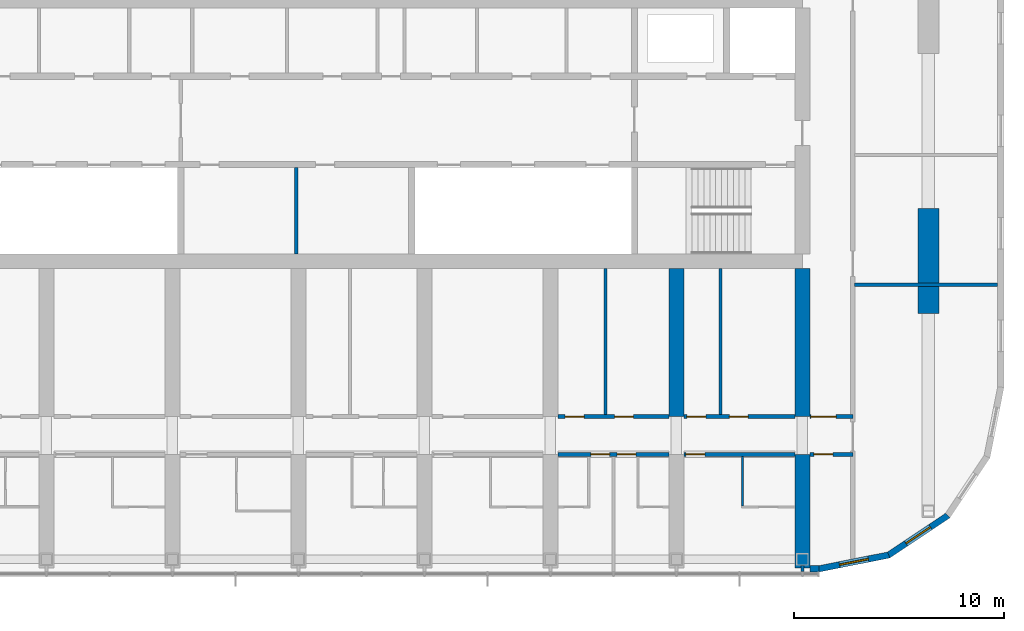
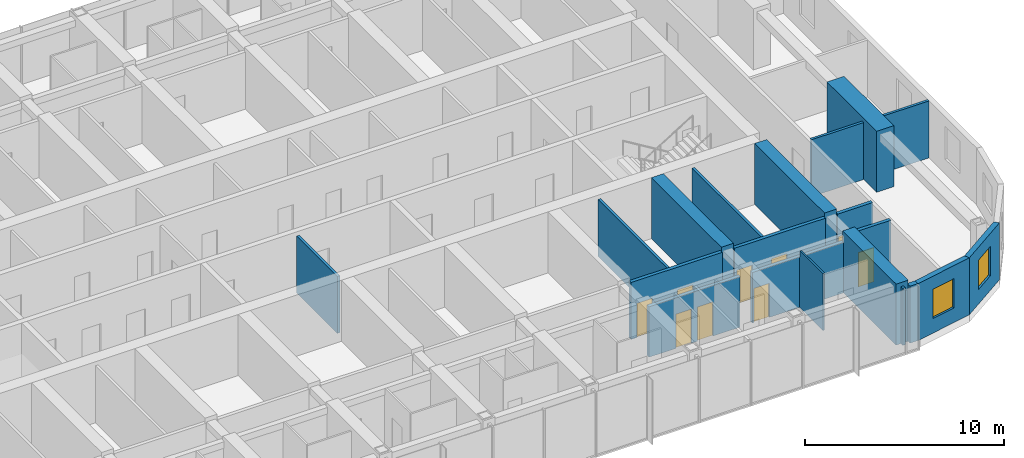
# One storey, part 16 of 28: 19 walls, 9 doors, 2 windows, 11 openings.
"""IFC4 building model written with IfcOpenShell, lengths in metres."""

from ifc_helpers import new_model, si_unit, direction, frame, frame_2d, origin, place, context, subcontext, project, spatial, polyline, rectangle, outline, extrude, material, layer, layer_set, type_object, element, fill, save


model = new_model("IFC4")

# Units and contexts
model_context = context("Model", 3, precision=1e-05, world=origin(), true_north=direction((0.0, 1.0)))
body_context = subcontext(model_context, "Body", "Model", "MODEL_VIEW")
ifc_project = project(units=[si_unit("LENGTHUNIT", "METRE"), si_unit("AREAUNIT", "SQUARE_METRE"), si_unit("VOLUMEUNIT", "CUBIC_METRE"), si_unit("PLANEANGLEUNIT", "RADIAN"), si_unit("MASSUNIT", "GRAM", prefix="KILO")], contexts=[model_context])

# Site, building, storey
site_placement = place(None, origin())
site = spatial("IfcSite", under=ifc_project, at=site_placement, CompositionType="ELEMENT")
building_placement = place(site_placement, origin())
building = spatial("IfcBuilding", under=site, at=building_placement, Name="Orbita Commons", CompositionType="ELEMENT")
storey_placement = place(building_placement, frame((0.0, 0.0, 216.550048828125)))
storey = spatial("IfcBuildingStorey", under=building, at=storey_placement, Name="L53", CompositionType="ELEMENT", Elevation=216.550048828125)

# Wall
ifc_material_1 = material(Name="Concrete blockwork", Category="masonry")
ifc_layer_1 = layer(ifc_material_1, 0.14990234375)
ifc_layer_set_1 = layer_set([ifc_layer_1], Name="Concrete blockwork")
wall_type_1 = type_object("IfcWallType", Name="Core partition 150 blockwork", PredefinedType="SOLIDWALL", material=ifc_layer_set_1)
wall_1_placement = place(storey_placement, frame((41.89990234375, 26.14990234375, 0.0), z_axis=(0.0, 0.0, 1.0), x_axis=(0.0, 1.0, 0.0)))
element("IfcWall", 1, at=wall_1_placement, inside=storey, type_object=wall_type_1, Name="Core partition 150 blockwork L53", PredefinedType="SOLIDWALL", context=body_context, shape_type="SweptSolid", body=[
    extrude(rectangle(XDim=4.10009765625, YDim=0.14990234375, at=frame_2d((2.050048828125, 0.0))), origin(), (0.0, 0.0, 1.0), 3.5),
])

# Wall, openings, doors
ifc_material_2 = material(Name="Concrete blockwork", Category="masonry")
ifc_layer_2 = layer(ifc_material_2, 0.199951171875)
ifc_layer_set_2 = layer_set([ifc_layer_2], Name="Concrete blockwork")
wall_type_2 = type_object("IfcWallType", Name="Corridor wall 200 blockwork", PredefinedType="SOLIDWALL", material=ifc_layer_set_2)
wall_2_placement = place(storey_placement, frame((54.35009765625, 16.60009765625, 0.0), z_axis=(0.0, 0.0, 1.0), x_axis=(1.0, 0.0, 0.0)))
wall_2 = element("IfcWall", 2, at=wall_2_placement, inside=storey, type_object=wall_type_2, Name="Corridor wall 200 blockwork L53", PredefinedType="SOLIDWALL", context=body_context, shape_type="SweptSolid", body=[
    extrude(outline(polyline([(0.0, 0.0), (5.2998046875, 0.0), (5.300048828125, 3.099853515625), (0.0, 3.099853515625), (0.0, 0.0)])), frame((0.0, 0.10009765625, 0.0), z_axis=(0.0, -1.0, 0.0), x_axis=(1.0, 0.0, 0.0)), (0.0, 0.0, 1.0), 0.199951171875),
])
opening_1_placement = place(wall_2_placement, frame((1.574951171875, 0.0, 0.0)))
opening_1 = element("IfcOpeningElement", 3, at=opening_1_placement, cuts=wall_2, Name="Opening D11", PredefinedType="OPENING", context=body_context, shape_type="SweptSolid", body=[
    extrude(rectangle(XDim=0.89990234375, YDim=2.10009765625, at=frame_2d((0.449951171875, 1.050048828125))), frame((0.0, 0.10986328125, 0.0), z_axis=(0.0, -1.0, 0.0), x_axis=(1.0, 0.0, 0.0)), (0.0, 0.0, 1.0), 0.219970703125),
])
opening_2_placement = place(wall_2_placement, frame((2.824951171875, 0.0, 0.0)))
opening_2 = element("IfcOpeningElement", 4, at=opening_2_placement, cuts=wall_2, Name="Opening D11", PredefinedType="OPENING", context=body_context, shape_type="SweptSolid", body=[
    extrude(rectangle(XDim=0.89990234375, YDim=2.10009765625, at=frame_2d((0.449951171875, 1.050048828125))), frame((0.0, 0.10986328125, 0.0), z_axis=(0.0, -1.0, 0.0), x_axis=(1.0, 0.0, 0.0)), (0.0, 0.0, 1.0), 0.219970703125),
])
ifc_material_3 = material(Name="Steel-faced fire door leaf", Category="steel")
door_type_1 = type_object("IfcDoorType", Name="Corridor door 20 min 900x2100", OperationType="SINGLE_SWING_LEFT", PredefinedType="DOOR", material=ifc_material_3)
door_1_placement = place(opening_1_placement, origin())
door_1 = element("IfcDoor", 5, at=door_1_placement, inside=storey, type_object=door_type_1, Name="Cluster bedroom L53-S12 door", OperationType="SINGLE_SWING_LEFT", OverallHeight=2.10009765625, OverallWidth=0.89990234375, PredefinedType="DOOR", context=body_context, shape_type="SweptSolid", body=[
    extrude(rectangle(XDim=0.89990234375, YDim=2.10009765625, at=frame_2d((0.449951171875, 1.050048828125))), frame((0.0, 0.02490234375, 0.0), z_axis=(0.0, -1.0, 0.0), x_axis=(1.0, 0.0, 0.0)), (0.0, 0.0, 1.0), 0.050048828125),
])
fill(opening_1, door_1)
door_2_placement = place(opening_2_placement, origin())
door_2 = element("IfcDoor", 6, at=door_2_placement, inside=storey, type_object=door_type_1, Name="Cluster bedroom L53-S13 door", OperationType="SINGLE_SWING_LEFT", OverallHeight=2.10009765625, OverallWidth=0.89990234375, PredefinedType="DOOR", context=body_context, shape_type="SweptSolid", body=[
    extrude(rectangle(XDim=0.89990234375, YDim=2.10009765625, at=frame_2d((0.449951171875, 1.050048828125))), frame((0.0, 0.02490234375, 0.0), z_axis=(0.0, -1.0, 0.0), x_axis=(1.0, 0.0, 0.0)), (0.0, 0.0, 1.0), 0.050048828125),
])
fill(opening_2, door_2)

# Wall, opening, door
wall_3_placement = place(storey_placement, frame((60.35009765625, 16.60009765625, 0.0), z_axis=(0.0, 0.0, 1.0), x_axis=(1.0, 0.0, 0.0)))
wall_3 = element("IfcWall", 7, at=wall_3_placement, inside=storey, type_object=wall_type_2, Name="Corridor wall 200 blockwork L53", PredefinedType="SOLIDWALL", context=body_context, shape_type="SweptSolid", body=[
    extrude(outline(polyline([(0.0, 0.0), (5.2998046875, 0.0), (5.300048828125, 3.099853515625), (0.0, 3.099853515625), (0.0, 0.0)])), frame((0.0, 0.10009765625, 0.0), z_axis=(0.0, -1.0, 0.0), x_axis=(1.0, 0.0, 0.0)), (0.0, 0.0, 1.0), 0.199951171875),
])
opening_3_placement = place(wall_3_placement, frame((0.10009765625, 0.0, 0.0)))
opening_3 = element("IfcOpeningElement", 8, at=opening_3_placement, cuts=wall_3, Name="Opening D11", PredefinedType="OPENING", context=body_context, shape_type="SweptSolid", body=[
    extrude(rectangle(XDim=0.89990234375, YDim=2.10009765625, at=frame_2d((0.449951171875, 1.050048828125))), frame((0.0, 0.10986328125, 0.0), z_axis=(0.0, -1.0, 0.0), x_axis=(1.0, 0.0, 0.0)), (0.0, 0.0, 1.0), 0.219970703125),
])
door_3_placement = place(opening_3_placement, origin())
door_3 = element("IfcDoor", 9, at=door_3_placement, inside=storey, type_object=door_type_1, Name="Studio apartment with kitchenette L53-S14 door", OperationType="SINGLE_SWING_LEFT", OverallHeight=2.10009765625, OverallWidth=0.89990234375, PredefinedType="DOOR", context=body_context, shape_type="SweptSolid", body=[
    extrude(rectangle(XDim=0.89990234375, YDim=2.10009765625, at=frame_2d((0.449951171875, 1.050048828125))), frame((0.0, 0.02490234375, 0.0), z_axis=(0.0, -1.0, 0.0), x_axis=(1.0, 0.0, 0.0)), (0.0, 0.0, 1.0), 0.050048828125),
])
fill(opening_3, door_3)

wall_4_placement = place(storey_placement, frame((66.35009765625, 16.60009765625, 0.0), z_axis=(0.0, 0.0, 1.0), x_axis=(1.0, 0.0, 0.0)))
wall_4 = element("IfcWall", 10, at=wall_4_placement, inside=storey, type_object=wall_type_2, Name="Corridor wall 200 blockwork L53", PredefinedType="SOLIDWALL", context=body_context, shape_type="SweptSolid", body=[
    extrude(rectangle(XDim=2.0498046875, YDim=0.199951171875, at=frame_2d((1.02490234375, 0.0))), origin(), (0.0, 0.0, 1.0), 3.5),
])
opening_4_placement = place(wall_4_placement, frame((0.199951171875, 0.0, 0.0)))
opening_4 = element("IfcOpeningElement", 11, at=opening_4_placement, cuts=wall_4, Name="Opening D05", PredefinedType="OPENING", context=body_context, shape_type="SweptSolid", body=[
    extrude(rectangle(XDim=0.89990234375, YDim=2.10009765625, at=frame_2d((0.449951171875, 1.050048828125))), frame((0.0, 0.10986328125, 0.0), z_axis=(0.0, -1.0, 0.0), x_axis=(1.0, 0.0, 0.0)), (0.0, 0.0, 1.0), 0.219970703125),
])
ifc_material_4 = material(Name="Steel-faced fire door leaf", Category="steel")
door_type_2 = type_object("IfcDoorType", Name="Service door 20 min 900x2100", OperationType="SINGLE_SWING_LEFT", PredefinedType="DOOR", material=ifc_material_4)
door_4_placement = place(opening_4_placement, origin())
door_4 = element("IfcDoor", 12, at=door_4_placement, inside=storey, type_object=door_type_2, Name="Linen store L53-KES door", OperationType="SINGLE_SWING_LEFT", OverallHeight=2.10009765625, OverallWidth=0.89990234375, PredefinedType="DOOR", context=body_context, shape_type="SweptSolid", body=[
    extrude(rectangle(XDim=0.89990234375, YDim=2.10009765625, at=frame_2d((0.449951171875, 1.050048828125))), frame((0.0, 0.02490234375, 0.0), z_axis=(0.0, -1.0, 0.0), x_axis=(1.0, 0.0, 0.0)), (0.0, 0.0, 1.0), 0.050048828125),
])
fill(opening_4, door_4)

# Wall, openings, doors
ifc_material_5 = material(Name="Hollow concrete block 200", Category="concrete")
ifc_layer_3 = layer(ifc_material_5, 0.199951171875)
ifc_layer_set_3 = layer_set([ifc_layer_3], Name="Hollow concrete block 200")
wall_type_3 = type_object("IfcWallType", Name="Corridor wall 200 hollow concrete block", PredefinedType="SOLIDWALL", material=ifc_layer_set_3)
wall_5_placement = place(storey_placement, frame((54.35009765625, 18.39990234375, 0.0), z_axis=(0.0, 0.0, 1.0), x_axis=(1.0, 0.0, 0.0)))
wall_5 = element("IfcWall", 13, at=wall_5_placement, inside=storey, type_object=wall_type_3, Name="Corridor wall 200 hollow concrete block L53", PredefinedType="SOLIDWALL", context=body_context, shape_type="SweptSolid", body=[
    extrude(rectangle(XDim=5.2998046875, YDim=0.199951171875, at=frame_2d((2.64990234375, 0.0))), origin(), (0.0, 0.0, 1.0), 3.5),
])
opening_5_placement = place(wall_5_placement, frame((0.35009765625, 0.0, 0.0)))
opening_5 = element("IfcOpeningElement", 14, at=opening_5_placement, cuts=wall_5, Name="Opening D11", PredefinedType="OPENING", context=body_context, shape_type="SweptSolid", body=[
    extrude(rectangle(XDim=0.89990234375, YDim=2.10009765625, at=frame_2d((0.449951171875, 1.050048828125))), frame((0.0, 0.10986328125, 0.0), z_axis=(0.0, -1.0, 0.0), x_axis=(1.0, 0.0, 0.0)), (0.0, 0.0, 1.0), 0.219970703125),
])
opening_6_placement = place(wall_5_placement, frame((2.705078125, 0.0, 0.0)))
opening_6 = element("IfcOpeningElement", 15, at=opening_6_placement, cuts=wall_5, Name="Opening D11", PredefinedType="OPENING", context=body_context, shape_type="SweptSolid", body=[
    extrude(rectangle(XDim=0.89990234375, YDim=2.10009765625, at=frame_2d((0.449951171875, 1.050048828125))), frame((0.0, 0.10986328125, 0.0), z_axis=(0.0, -1.0, 0.0), x_axis=(1.0, 0.0, 0.0)), (0.0, 0.0, 1.0), 0.219970703125),
])
door_5_placement = place(opening_5_placement, origin())
door_5 = element("IfcDoor", 16, at=door_5_placement, inside=storey, type_object=door_type_1, Name="Battery and UPS room L53-BDS54n door", OperationType="SINGLE_SWING_LEFT", OverallHeight=2.10009765625, OverallWidth=0.89990234375, PredefinedType="DOOR", context=body_context, shape_type="SweptSolid", body=[
    extrude(rectangle(XDim=0.89990234375, YDim=2.10009765625, at=frame_2d((0.449951171875, 1.050048828125))), frame((0.0, 0.02490234375, 0.0), z_axis=(0.0, -1.0, 0.0), x_axis=(1.0, 0.0, 0.0)), (0.0, 0.0, 1.0), 0.050048828125),
])
fill(opening_5, door_5)
door_6_placement = place(opening_6_placement, origin())
door_6 = element("IfcDoor", 17, at=door_6_placement, inside=storey, type_object=door_type_1, Name="Refuse and recycling room L53-BDS54 door", OperationType="SINGLE_SWING_LEFT", OverallHeight=2.10009765625, OverallWidth=0.89990234375, PredefinedType="DOOR", context=body_context, shape_type="SweptSolid", body=[
    extrude(rectangle(XDim=0.89990234375, YDim=2.10009765625, at=frame_2d((0.449951171875, 1.050048828125))), frame((0.0, 0.02490234375, 0.0), z_axis=(0.0, -1.0, 0.0), x_axis=(1.0, 0.0, 0.0)), (0.0, 0.0, 1.0), 0.050048828125),
])
fill(opening_6, door_6)

wall_6_placement = place(storey_placement, frame((60.35009765625, 18.39990234375, 0.0), z_axis=(0.0, 0.0, 1.0), x_axis=(1.0, 0.0, 0.0)))
wall_6 = element("IfcWall", 18, at=wall_6_placement, inside=storey, type_object=wall_type_3, Name="Corridor wall 200 hollow concrete block L53", PredefinedType="SOLIDWALL", context=body_context, shape_type="SweptSolid", body=[
    extrude(rectangle(XDim=5.2998046875, YDim=0.199951171875, at=frame_2d((2.64990234375, 0.0))), origin(), (0.0, 0.0, 1.0), 3.5),
])
opening_7_placement = place(wall_6_placement, frame((0.14990234375, 0.0, 0.0)))
opening_7 = element("IfcOpeningElement", 19, at=opening_7_placement, cuts=wall_6, Name="Opening D11", PredefinedType="OPENING", context=body_context, shape_type="SweptSolid", body=[
    extrude(rectangle(XDim=0.89990234375, YDim=2.10009765625, at=frame_2d((0.449951171875, 1.050048828125))), frame((0.0, 0.10986328125, 0.0), z_axis=(0.0, -1.0, 0.0), x_axis=(1.0, 0.0, 0.0)), (0.0, 0.0, 1.0), 0.219970703125),
])
opening_8_placement = place(wall_6_placement, frame((2.169921875, 0.0, 0.0)))
opening_8 = element("IfcOpeningElement", 20, at=opening_8_placement, cuts=wall_6, Name="Opening D11", PredefinedType="OPENING", context=body_context, shape_type="SweptSolid", body=[
    extrude(rectangle(XDim=0.89990234375, YDim=2.10009765625, at=frame_2d((0.449951171875, 1.050048828125))), frame((0.0, 0.10986328125, 0.0), z_axis=(0.0, -1.0, 0.0), x_axis=(1.0, 0.0, 0.0)), (0.0, 0.0, 1.0), 0.219970703125),
])
door_7_placement = place(opening_7_placement, origin())
door_7 = element("IfcDoor", 21, at=door_7_placement, inside=storey, type_object=door_type_1, Name="Sprinkler valve room L53-BDS60n door", OperationType="SINGLE_SWING_LEFT", OverallHeight=2.10009765625, OverallWidth=0.89990234375, PredefinedType="DOOR", context=body_context, shape_type="SweptSolid", body=[
    extrude(rectangle(XDim=0.89990234375, YDim=2.10009765625, at=frame_2d((0.449951171875, 1.050048828125))), frame((0.0, 0.02490234375, 0.0), z_axis=(0.0, -1.0, 0.0), x_axis=(1.0, 0.0, 0.0)), (0.0, 0.0, 1.0), 0.050048828125),
])
fill(opening_7, door_7)
door_8_placement = place(opening_8_placement, origin())
door_8 = element("IfcDoor", 22, at=door_8_placement, inside=storey, type_object=door_type_1, Name="Cleaners store L53-BDS60 door", OperationType="SINGLE_SWING_LEFT", OverallHeight=2.10009765625, OverallWidth=0.89990234375, PredefinedType="DOOR", context=body_context, shape_type="SweptSolid", body=[
    extrude(rectangle(XDim=0.89990234375, YDim=2.10009765625, at=frame_2d((0.449951171875, 1.050048828125))), frame((0.0, 0.02490234375, 0.0), z_axis=(0.0, -1.0, 0.0), x_axis=(1.0, 0.0, 0.0)), (0.0, 0.0, 1.0), 0.050048828125),
])
fill(opening_8, door_8)

# Wall, opening, door
wall_7_placement = place(storey_placement, frame((66.35009765625, 18.39990234375, 0.0), z_axis=(0.0, 0.0, 1.0), x_axis=(1.0, 0.0, 0.0)))
wall_7 = element("IfcWall", 23, at=wall_7_placement, inside=storey, type_object=wall_type_3, Name="Corridor wall 200 hollow concrete block L53", PredefinedType="SOLIDWALL", context=body_context, shape_type="SweptSolid", body=[
    extrude(rectangle(XDim=2.0498046875, YDim=0.199951171875, at=frame_2d((1.02490234375, 0.0))), origin(), (0.0, 0.0, 1.0), 3.5),
])
opening_9_placement = place(wall_7_placement, frame((0.050048828125, 0.0, 0.0)))
opening_9 = element("IfcOpeningElement", 24, at=opening_9_placement, cuts=wall_7, Name="Opening D12", PredefinedType="OPENING", context=body_context, shape_type="SweptSolid", body=[
    extrude(rectangle(XDim=1.199951171875, YDim=2.10009765625, at=frame_2d((0.60009765625, 1.050048828125))), frame((0.0, 0.10986328125, 0.0), z_axis=(0.0, -1.0, 0.0), x_axis=(1.0, 0.0, 0.0)), (0.0, 0.0, 1.0), 0.219970703125),
])
ifc_material_6 = material(Name="Steel-faced fire door leaf", Category="steel")
door_type_3 = type_object("IfcDoorType", Name="Double corridor door 20 min 1200x2100", OperationType="DOUBLE_DOOR_SINGLE_SWING", PredefinedType="DOOR", material=ifc_material_6)
door_9_placement = place(opening_9_placement, origin())
door_9 = element("IfcDoor", 25, at=door_9_placement, inside=storey, type_object=door_type_3, Name="Cross corridor doors", OperationType="DOUBLE_DOOR_SINGLE_SWING", OverallHeight=2.10009765625, OverallWidth=1.199951171875, PredefinedType="DOOR", context=body_context, shape_type="SweptSolid", body=[
    extrude(rectangle(XDim=1.199951171875, YDim=2.10009765625, at=frame_2d((0.60009765625, 1.050048828125))), frame((0.0, 0.02490234375, 0.0), z_axis=(0.0, -1.0, 0.0), x_axis=(1.0, 0.0, 0.0)), (0.0, 0.0, 1.0), 0.050048828125),
])
fill(opening_9, door_9)

# Walls
ifc_material_7 = material(Name="Concrete C50/60", Category="concrete")
ifc_layer_4 = layer(ifc_material_7, 0.699951171875)
ifc_layer_set_4 = layer_set([ifc_layer_4], Name="Concrete C50/60")
wall_type_4 = type_object("IfcWallType", Name="Cross wall 700 C50/60", PredefinedType="SHEAR", material=ifc_layer_set_4)
wall_8_placement = place(storey_placement, frame((60.0, 18.39990234375, 0.0), z_axis=(0.0, 0.0, 1.0), x_axis=(0.0, 1.0, 0.0)))
element("IfcWall", 26, at=wall_8_placement, inside=storey, type_object=wall_type_4, Name="Cross wall 11 south inner L53", PredefinedType="SHEAR", context=body_context, shape_type="SweptSolid", body=[
    extrude(rectangle(XDim=7.050048828125, YDim=0.699951171875, at=frame_2d((3.52490234375, 0.0))), origin(), (0.0, 0.0, 1.0), 3.75),
])
wall_9_placement = place(storey_placement, frame((66.0, 11.199951171875, 0.0), z_axis=(0.0, 0.0, 1.0), x_axis=(0.0, 1.0, 0.0)))
element("IfcWall", 27, at=wall_9_placement, inside=storey, type_object=wall_type_4, Name="Cross wall 12 south outer L53", PredefinedType="SHEAR", context=body_context, shape_type="SweptSolid", body=[
    extrude(rectangle(XDim=5.400146484375, YDim=0.699951171875, at=frame_2d((2.7001953125, 0.0))), origin(), (0.0, 0.0, 1.0), 3.75),
])
wall_10_placement = place(storey_placement, frame((66.0, 18.39990234375, 0.0), z_axis=(0.0, 0.0, 1.0), x_axis=(0.0, 1.0, 0.0)))
element("IfcWall", 28, at=wall_10_placement, inside=storey, type_object=wall_type_4, Name="Cross wall 12 south inner L53", PredefinedType="SHEAR", context=body_context, shape_type="SweptSolid", body=[
    extrude(rectangle(XDim=7.050048828125, YDim=0.699951171875, at=frame_2d((3.52490234375, 0.0))), origin(), (0.0, 0.0, 1.0), 3.75),
])
ifc_material_8 = material(Name="Moisture-resistant plasterboard on steel studs", Category="steel")
ifc_layer_5 = layer(ifc_material_8, 0.10009765625)
ifc_layer_set_5 = layer_set([ifc_layer_5], Name="Moisture-resistant plasterboard on steel studs")
wall_type_5 = type_object("IfcWallType", Name="En-suite partition 100", PredefinedType="PARTITIONING", material=ifc_layer_set_5)
wall_11_placement = place(storey_placement, frame((63.14990234375, 14.14990234375, 0.0), z_axis=(0.0, 0.0, 1.0), x_axis=(0.0, 1.0, 0.0)))
element("IfcWall", 29, at=wall_11_placement, inside=storey, type_object=wall_type_5, Name="En-suite partition 100 L53", PredefinedType="PARTITIONING", context=body_context, shape_type="SweptSolid", body=[
    extrude(outline(polyline([(0.0, 0.0), (2.35009765625, 0.0), (2.35009765625, 3.099853515625), (2.302001953125, 3.099853515625), (2.300048828125, 3.5), (0.0, 3.5), (0.0, 0.0)])), frame((0.0, 0.050048828125, 0.0), z_axis=(0.0, -1.0, 0.0), x_axis=(1.0, 0.0, 0.0)), (0.0, 0.0, 1.0), 0.10009765625),
])
ifc_material_9 = material(Name="Concrete C50/60", Category="concrete")
ifc_layer_6 = layer(ifc_material_9, 1.0)
ifc_layer_set_6 = layer_set([ifc_layer_6], Name="Concrete C50/60")
wall_type_6 = type_object("IfcWallType", Name="End pier 1000x5000 C50/60", PredefinedType="SHEAR", material=ifc_layer_set_6)
wall_12_placement = place(storey_placement, frame((72.0, 23.300048828125, 0.0), z_axis=(0.0, 0.0, 1.0), x_axis=(0.0, 1.0, 0.0)))
element("IfcWall", 30, at=wall_12_placement, inside=storey, type_object=wall_type_6, Name="End pier 13/C L53", PredefinedType="SHEAR", context=body_context, shape_type="SweptSolid", body=[
    extrude(rectangle(XDim=5.0, YDim=1.0, at=frame_2d((2.5, 0.0))), origin(), (0.0, 0.0, 1.0), 3.75),
])
ifc_material_10 = material(Name="Gypsum plasterboard on steel studs", Category="steel")
ifc_layer_7 = layer(ifc_material_10, 0.14990234375)
ifc_layer_set_7 = layer_set([ifc_layer_7], Name="Gypsum plasterboard on steel studs")
wall_type_7 = type_object("IfcWallType", Name="Partition 150 plasterboard", PredefinedType="PARTITIONING", material=ifc_layer_set_7)
for number, where, z_axis, x_axis, name in (
    (31, (56.6298828125, 18.5, 0.0), (0.0, 0.0, 1.0), (0.0, 1.0, 0.0), "Partition 150 plasterboard L53"),
    (32, (62.094970703125, 18.5, 0.0), (0.0, 0.0, 1.0), (0.0, 1.0, 0.0), "Partition 150 plasterboard L53"),
):
    element("IfcWall", number, at=place(storey_placement, frame(where, z_axis=z_axis, x_axis=x_axis)), inside=storey, type_object=wall_type_7, Name=name, PredefinedType="PARTITIONING", context=body_context, shape_type="SweptSolid", body=[
        extrude(rectangle(XDim=6.949951171875, YDim=0.14990234375, at=frame_2d((3.47509765625, 0.0))), origin(), (0.0, 0.0, 1.0), 3.5),
    ])
wall_13_placement = place(storey_placement, frame((68.47509765625, 24.679931640625, 0.0), z_axis=(0.0, 0.0, 1.0), x_axis=(1.0, 0.0, 0.0)))
element("IfcWall", 33, at=wall_13_placement, inside=storey, type_object=wall_type_7, Name="Partition 150 plasterboard L53", PredefinedType="PARTITIONING", context=body_context, shape_type="SweptSolid", body=[
    extrude(rectangle(XDim=6.81982421875, YDim=0.14990234375, at=frame_2d((3.409912109375, 0.0))), origin(), (0.0, 0.0, 1.0), 3.5),
])
wall_14_placement = place(storey_placement, frame((66.0, 11.300048828125, 0.0), z_axis=(0.0, 0.0, 1.0), x_axis=(0.0, -1.0, 0.0)))
element("IfcWall", 34, at=wall_14_placement, inside=storey, type_object=wall_type_7, Name="Partition 150 plasterboard L53", PredefinedType="PARTITIONING", context=body_context, shape_type="SweptSolid", body=[
    extrude(rectangle(XDim=0.2900390625, YDim=0.14990234375, at=frame_2d((0.14501953125, 0.0))), origin(), (0.0, 0.0, 1.0), 3.5),
])

# Wall, opening, window
ifc_material_11 = material(Name="Precast concrete C40/50, white board-marked finish", Category="concrete")
ifc_layer_8 = layer(ifc_material_11, 0.300048828125)
ifc_layer_set_8 = layer_set([ifc_layer_8], Name="Precast concrete C40/50, white board-marked finish")
wall_type_8 = type_object("IfcWallType", Name="Precast concrete end shield 300", PredefinedType="SOLIDWALL", material=ifc_layer_set_8)
wall_15_placement = place(storey_placement, frame((66.800048828125, 11.14990234375, 0.0), z_axis=(0.0, 0.0, 1.0), x_axis=(0.98078325777, 0.195100490205, 0.0)))
wall_15 = element("IfcWall", 35, at=wall_15_placement, inside=storey, type_object=wall_type_8, Name="End shield SE chord 1 L53", PredefinedType="SOLIDWALL", context=body_context, shape_type="SweptSolid", body=[
    extrude(outline(polyline([(-0.02978515625, -0.14990234375), (3.40478515625, -0.14990234375), (3.34521484375, 0.14990234375), (0.02978515625, 0.14990234375), (-0.02978515625, -0.14990234375)])), origin(), (0.0, 0.0, 1.0), 3.5),
])
opening_10_placement = place(wall_15_placement, frame((0.987548828125, 0.0, 0.89990234375)))
opening_10 = element("IfcOpeningElement", 36, at=opening_10_placement, cuts=wall_15, Name="Opening W02", PredefinedType="OPENING", context=body_context, shape_type="SweptSolid", body=[
    extrude(rectangle(XDim=1.39990234375, YDim=1.800048828125, at=frame_2d((0.699951171875, 0.89990234375))), frame((0.0, 0.159912109375, 0.0), z_axis=(0.0, -1.0, 0.0), x_axis=(1.0, 0.0, 0.0)), (0.0, 0.0, 1.0), 0.320068359375),
])
ifc_material_12 = material(Name="Aluminium frame, clear double glazing", Category="aluminium")
window_type = type_object("IfcWindowType", Name="Deep-set window 1400x1800", PartitioningType="SINGLE_PANEL", PredefinedType="WINDOW", material=ifc_material_12)
window_1_placement = place(opening_10_placement, origin())
window_1 = element("IfcWindow", 37, at=window_1_placement, inside=storey, type_object=window_type, Name="Window L53-SE0", OverallHeight=1.800048828125, OverallWidth=1.39990234375, PartitioningType="SINGLE_PANEL", PredefinedType="WINDOW", context=body_context, shape_type="SweptSolid", body=[
    extrude(rectangle(XDim=1.39990234375, YDim=1.800048828125, at=frame_2d((0.699951171875, 0.89990234375))), frame((0.0, 0.030029296875, 0.0), z_axis=(0.0, -1.0, 0.0), x_axis=(1.0, 0.0, 0.0)), (0.0, 0.0, 1.0), 0.06005859375),
])
fill(opening_10, window_1)

wall_16_placement = place(storey_placement, frame((70.110107421875, 11.808349609375, 0.0), z_axis=(0.0, 0.0, 1.0), x_axis=(0.831460037396, 0.555584562613, 0.0)))
wall_16 = element("IfcWall", 38, at=wall_16_placement, inside=storey, type_object=wall_type_8, Name="End shield SE chord 2 L53", PredefinedType="SOLIDWALL", context=body_context, shape_type="SweptSolid", body=[
    extrude(outline(polyline([(-0.02978515625, -0.14990234375), (3.405029296875, -0.14990234375), (3.345458984375, 0.14990234375), (0.02978515625, 0.14990234375), (-0.02978515625, -0.14990234375)])), origin(), (0.0, 0.0, 1.0), 3.5),
])
opening_11_placement = place(wall_16_placement, frame((0.987548828125, 0.0, 0.89990234375)))
opening_11 = element("IfcOpeningElement", 39, at=opening_11_placement, cuts=wall_16, Name="Opening W02", PredefinedType="OPENING", context=body_context, shape_type="SweptSolid", body=[
    extrude(rectangle(XDim=1.39990234375, YDim=1.800048828125, at=frame_2d((0.699951171875, 0.89990234375))), frame((0.0, 0.159912109375, 0.0), z_axis=(0.0, -1.0, 0.0), x_axis=(1.0, 0.0, 0.0)), (0.0, 0.0, 1.0), 0.320068359375),
])
window_2_placement = place(opening_11_placement, origin())
window_2 = element("IfcWindow", 40, at=window_2_placement, inside=storey, type_object=window_type, Name="Window L53-SE1", OverallHeight=1.800048828125, OverallWidth=1.39990234375, PartitioningType="SINGLE_PANEL", PredefinedType="WINDOW", context=body_context, shape_type="SweptSolid", body=[
    extrude(rectangle(XDim=1.39990234375, YDim=1.800048828125, at=frame_2d((0.699951171875, 0.89990234375))), frame((0.0, 0.030029296875, 0.0), z_axis=(0.0, -1.0, 0.0), x_axis=(1.0, 0.0, 0.0)), (0.0, 0.0, 1.0), 0.06005859375),
])
fill(opening_11, window_2)

# Wall
wall_17_placement = place(storey_placement, frame((66.800048828125, 11.14990234375, 0.0), z_axis=(0.0, 0.0, 1.0), x_axis=(-1.0, 0.0, 0.0)))
element("IfcWall", 41, at=wall_17_placement, inside=storey, type_object=wall_type_8, Name="End shield SE closer L53", PredefinedType="SOLIDWALL", context=body_context, shape_type="SweptSolid", body=[
    extrude(rectangle(XDim=0.449951171875, YDim=0.300048828125, at=frame_2d((0.22509765625, 0.0))), origin(), (0.0, 0.0, 1.0), 3.5),
])

save(model, "model.ifc")
